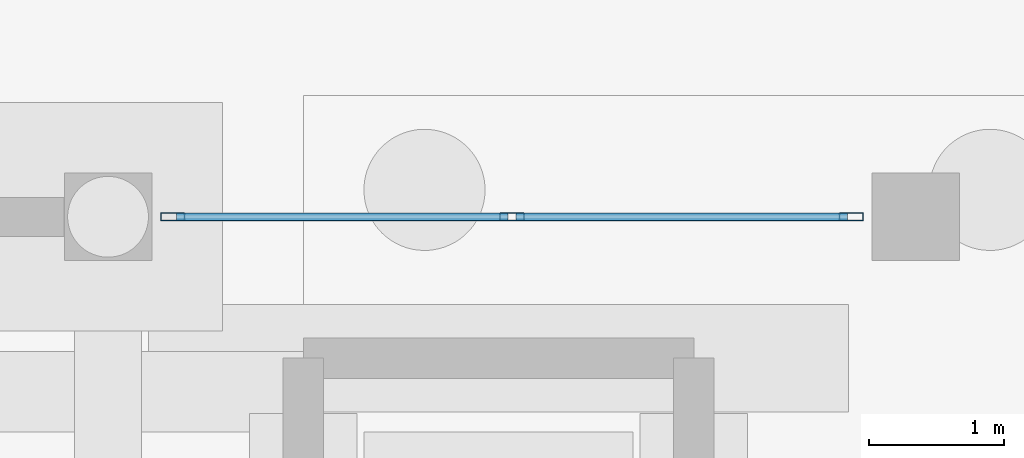
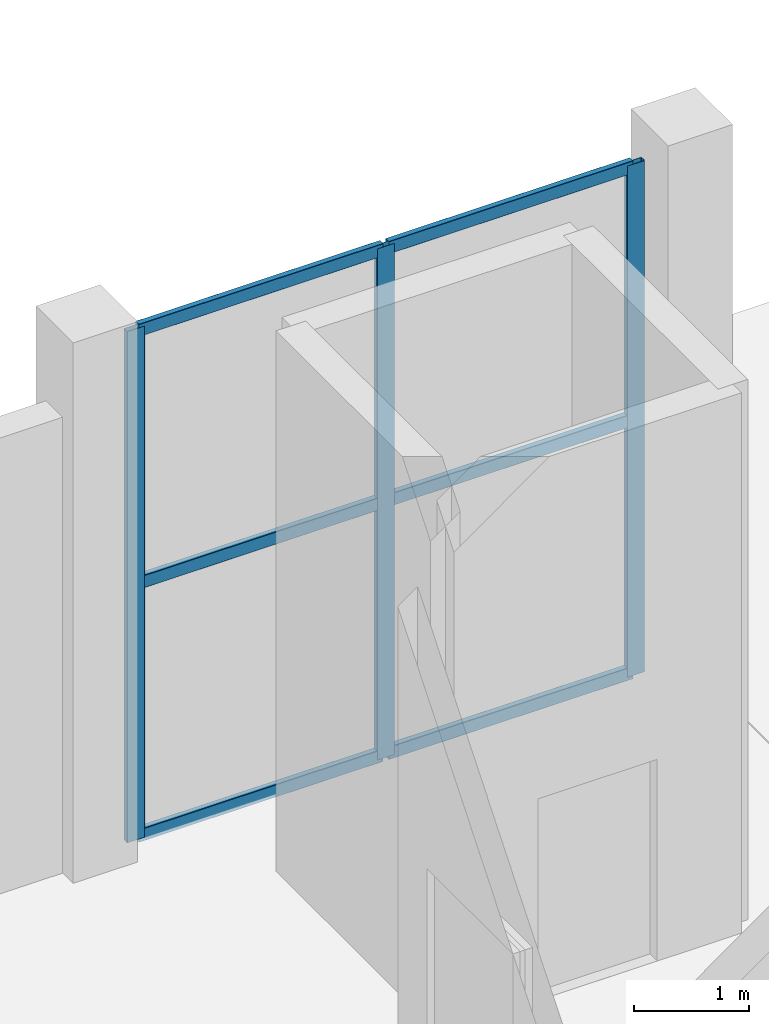
# One storey, part 54 of 103: 9 members, 1 element without a shape of its own.
"""IFC4 building model written with IfcOpenShell, lengths in metres."""

from ifc_helpers import new_model, si_unit, direction, frame, origin, origin_2d, place, context, subcontext, project, spatial, hollow_rectangle, extrude, material, layer, layer_set, material_profile, profile_set, type_object, element, aggregate, save


model = new_model("IFC4")

# Units and contexts
model_context = context("Model", 3, precision=1e-05, world=origin(), true_north=direction((0.0, 1.0)))
body_context = subcontext(model_context, "Body", "Model", "MODEL_VIEW")
ifc_project = project(units=[si_unit("LENGTHUNIT", "METRE"), si_unit("AREAUNIT", "SQUARE_METRE"), si_unit("VOLUMEUNIT", "CUBIC_METRE"), si_unit("PLANEANGLEUNIT", "RADIAN"), si_unit("MASSUNIT", "GRAM", prefix="KILO")], contexts=[model_context])

# Site, building, storey
site_placement = place(None, origin())
site = spatial("IfcSite", under=ifc_project, at=site_placement, CompositionType="ELEMENT")
building_placement = place(site_placement, origin())
building = spatial("IfcBuilding", under=site, at=building_placement, Name="Dunvalen Ferry Terminal", CompositionType="ELEMENT")
storey_placement = place(building_placement, origin())
storey = spatial("IfcBuildingStorey", under=building, at=storey_placement, Name="L00", CompositionType="ELEMENT", Elevation=0.0)

# Curtain wall, members
ifc_material_1 = material(Name="Anodised marine aluminium and solar-control glazing", Category="aluminium")
ifc_layer = layer(ifc_material_1, 0.159912109375, Name="Anodised marine aluminium and solar-control glazing")
ifc_layer_set = layer_set([ifc_layer], Name="Anodised marine aluminium and solar-control glazing")
curtain_wall_type = type_object("IfcCurtainWallType", Name="ENV-CW-SYS-09", PredefinedType="NOTDEFINED", material=ifc_layer_set)
curtain_wall_placement = place(storey_placement, origin())
curtain_wall = element("IfcCurtainWall", 1, at=curtain_wall_placement, inside=storey, type_object=curtain_wall_type, Name="L00 Curtain Wall CW-BRT1-N-L00-4", PredefinedType="NOTDEFINED")
ifc_material_2 = material(Name="Anodised marine aluminium EN AW-6063 T6", Category="aluminium")
ifc_material_profile_1 = material_profile(ifc_material_2, hollow_rectangle(XDim=0.06005859375, YDim=0.179931640625, WallThickness=0.00341796875, InnerFilletRadius=0.00341796875, OuterFilletRadius=0.007080078125, at=origin_2d()), Name="Anodised marine aluminium EN AW-6063 T6")
ifc_profile_set_1 = profile_set([ifc_material_profile_1], Name="Anodised marine aluminium EN AW-6063 T6")
member_type_1 = type_object("IfcMemberType", Name="ENV-CW-MUL-2", PredefinedType="MULLION", material=ifc_profile_set_1)
member_1_placement = place(storey_placement, frame((42.47998046875, 115.199951171875, 0.0), z_axis=(0.0, 0.0, 1.0), x_axis=(0.0, 1.0, 0.0)))
member_1 = element("IfcMember", 2, at=member_1_placement, type_object=member_type_1, Name="CW-09 mullion 1", PredefinedType="MULLION", context=body_context, shape_type="SweptSolid", body=[
    extrude(hollow_rectangle(XDim=0.06005859375, YDim=0.179931640625, WallThickness=0.00341796875, InnerFilletRadius=0.00341796875, OuterFilletRadius=0.007080078125, at=origin_2d()), origin(), (0.0, 0.0, 1.0), 5.449951171875),
])
member_2_placement = place(storey_placement, frame((45.0, 115.199951171875, 0.0), z_axis=(0.0, 0.0, 1.0), x_axis=(0.0, 1.0, 0.0)))
member_2 = element("IfcMember", 3, at=member_2_placement, type_object=member_type_1, Name="CW-09 mullion 2", PredefinedType="MULLION", context=body_context, shape_type="SweptSolid", body=[
    extrude(hollow_rectangle(XDim=0.06005859375, YDim=0.179931640625, WallThickness=0.00341796875, InnerFilletRadius=0.00341796875, OuterFilletRadius=0.007080078125, at=origin_2d()), origin(), (0.0, 0.0, 1.0), 5.449951171875),
])
member_3_placement = place(storey_placement, frame((47.52001953125, 115.199951171875, 0.0), z_axis=(0.0, 0.0, 1.0), x_axis=(0.0, 1.0, 0.0)))
member_3 = element("IfcMember", 4, at=member_3_placement, type_object=member_type_1, Name="CW-09 mullion 3", PredefinedType="MULLION", context=body_context, shape_type="SweptSolid", body=[
    extrude(hollow_rectangle(XDim=0.06005859375, YDim=0.179931640625, WallThickness=0.00341796875, InnerFilletRadius=0.00341796875, OuterFilletRadius=0.007080078125, at=origin_2d()), origin(), (0.0, 0.0, 1.0), 5.449951171875),
])
ifc_material_profile_2 = material_profile(ifc_material_2, hollow_rectangle(XDim=0.06005859375, YDim=0.135009765625, WallThickness=0.003173828125, InnerFilletRadius=0.003173828125, OuterFilletRadius=0.00634765625, at=origin_2d()), Name="Anodised marine aluminium EN AW-6063 T6")
ifc_profile_set_2 = profile_set([ifc_material_profile_2], Name="Anodised marine aluminium EN AW-6063 T6")
member_type_2 = type_object("IfcMemberType", Name="ENV-CW-TRN-2", PredefinedType="USERDEFINED", material=ifc_profile_set_2)
member_4_placement = place(storey_placement, frame((42.510009765625, 115.199951171875, 0.030029296875), z_axis=(1.0, 0.0, 0.0), x_axis=(0.0, 1.0, 0.0)))
member_4 = element("IfcMember", 5, at=member_4_placement, type_object=member_type_2, Name="CW-09 transom 1.1", ObjectType="TRANSOM", PredefinedType="USERDEFINED", context=body_context, shape_type="SweptSolid", body=[
    extrude(hollow_rectangle(XDim=0.06005859375, YDim=0.135009765625, WallThickness=0.003173828125, InnerFilletRadius=0.003173828125, OuterFilletRadius=0.00634765625, at=origin_2d()), origin(), (0.0, 0.0, 1.0), 2.4599609375),
])
member_5_placement = place(storey_placement, frame((42.510009765625, 115.199951171875, 2.72509765625), z_axis=(1.0, 0.0, 0.0), x_axis=(0.0, 1.0, 0.0)))
member_5 = element("IfcMember", 6, at=member_5_placement, type_object=member_type_2, Name="CW-09 transom 1.2", ObjectType="TRANSOM", PredefinedType="USERDEFINED", context=body_context, shape_type="SweptSolid", body=[
    extrude(hollow_rectangle(XDim=0.06005859375, YDim=0.135009765625, WallThickness=0.003173828125, InnerFilletRadius=0.003173828125, OuterFilletRadius=0.00634765625, at=origin_2d()), origin(), (0.0, 0.0, 1.0), 2.4599609375),
])
member_6_placement = place(storey_placement, frame((42.510009765625, 115.199951171875, 5.419921875), z_axis=(1.0, 0.0, 0.0), x_axis=(0.0, 1.0, 0.0)))
member_6 = element("IfcMember", 7, at=member_6_placement, type_object=member_type_2, Name="CW-09 transom 1.3", ObjectType="TRANSOM", PredefinedType="USERDEFINED", context=body_context, shape_type="SweptSolid", body=[
    extrude(hollow_rectangle(XDim=0.06005859375, YDim=0.135009765625, WallThickness=0.003173828125, InnerFilletRadius=0.003173828125, OuterFilletRadius=0.00634765625, at=origin_2d()), origin(), (0.0, 0.0, 1.0), 2.4599609375),
])
member_7_placement = place(storey_placement, frame((45.030029296875, 115.199951171875, 0.030029296875), z_axis=(1.0, 0.0, 0.0), x_axis=(0.0, 1.0, 0.0)))
member_7 = element("IfcMember", 8, at=member_7_placement, type_object=member_type_2, Name="CW-09 transom 2.1", ObjectType="TRANSOM", PredefinedType="USERDEFINED", context=body_context, shape_type="SweptSolid", body=[
    extrude(hollow_rectangle(XDim=0.06005859375, YDim=0.135009765625, WallThickness=0.003173828125, InnerFilletRadius=0.003173828125, OuterFilletRadius=0.00634765625, at=origin_2d()), origin(), (0.0, 0.0, 1.0), 2.4599609375),
])
member_8_placement = place(storey_placement, frame((45.030029296875, 115.199951171875, 2.72509765625), z_axis=(1.0, 0.0, 0.0), x_axis=(0.0, 1.0, 0.0)))
member_8 = element("IfcMember", 9, at=member_8_placement, type_object=member_type_2, Name="CW-09 transom 2.2", ObjectType="TRANSOM", PredefinedType="USERDEFINED", context=body_context, shape_type="SweptSolid", body=[
    extrude(hollow_rectangle(XDim=0.06005859375, YDim=0.135009765625, WallThickness=0.003173828125, InnerFilletRadius=0.003173828125, OuterFilletRadius=0.00634765625, at=origin_2d()), origin(), (0.0, 0.0, 1.0), 2.4599609375),
])
member_9_placement = place(storey_placement, frame((45.030029296875, 115.199951171875, 5.419921875), z_axis=(1.0, 0.0, 0.0), x_axis=(0.0, 1.0, 0.0)))
member_9 = element("IfcMember", 10, at=member_9_placement, type_object=member_type_2, Name="CW-09 transom 2.3", ObjectType="TRANSOM", PredefinedType="USERDEFINED", context=body_context, shape_type="SweptSolid", body=[
    extrude(hollow_rectangle(XDim=0.06005859375, YDim=0.135009765625, WallThickness=0.003173828125, InnerFilletRadius=0.003173828125, OuterFilletRadius=0.00634765625, at=origin_2d()), origin(), (0.0, 0.0, 1.0), 2.4599609375),
])
aggregate(curtain_wall, [member_1, member_2, member_3, member_4, member_5, member_6, member_7, member_8, member_9])

save(model, "model.ifc")
